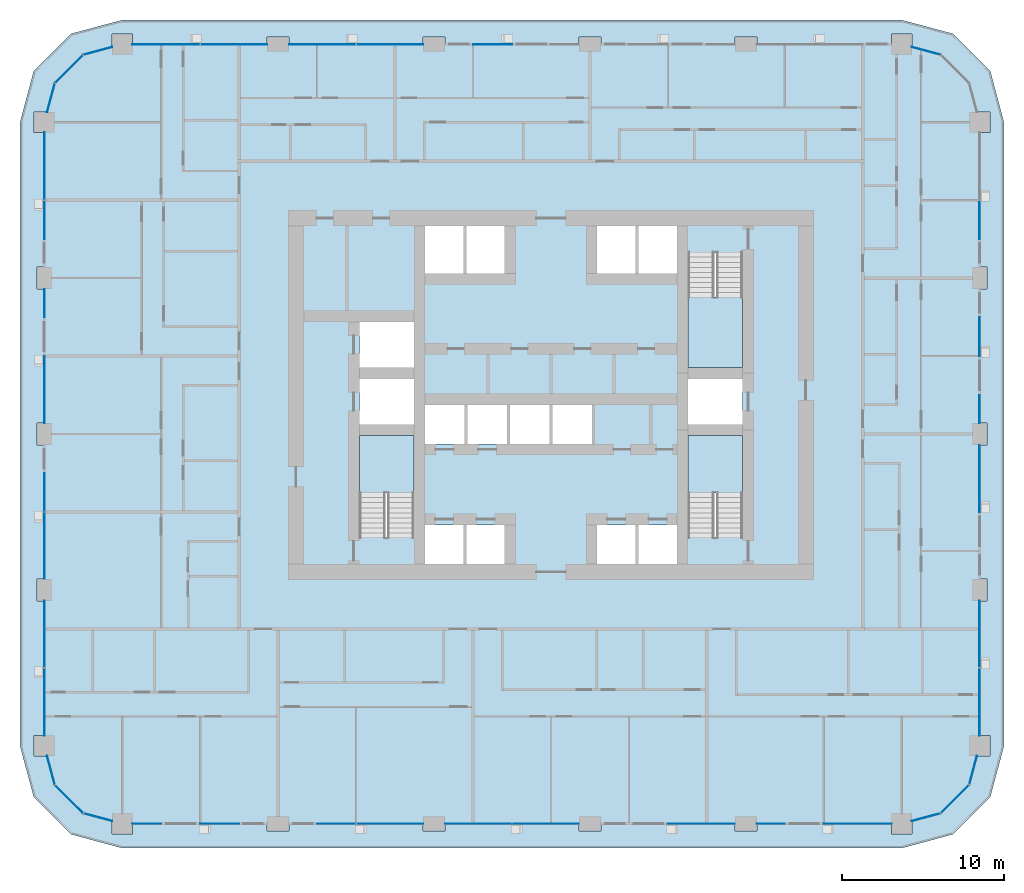
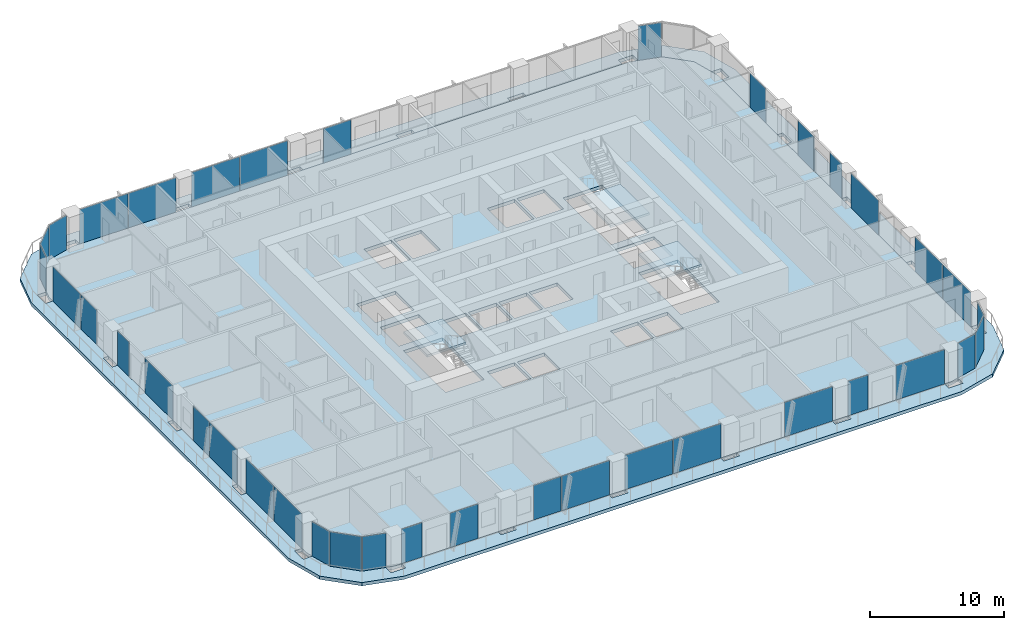
# One storey, part 7 of 21: 38 plates, 5 slabs, 23 elements without a shape of their own.
"""IFC4 building model written with IfcOpenShell, lengths in metres."""

from ifc_helpers import new_model, si_unit, direction, frame, origin, origin_2d, place, context, subcontext, project, spatial, polyline, rectangle, outline, extrude, material, layer, layer_set, type_object, element, aggregate, save


model = new_model("IFC4")

# Units and contexts
model_context = context("Model", 3, precision=1e-05, world=origin(), true_north=direction((0.0, 1.0)))
body_context = subcontext(model_context, "Body", "Model", "MODEL_VIEW")
ifc_project = project(units=[si_unit("LENGTHUNIT", "METRE"), si_unit("AREAUNIT", "SQUARE_METRE"), si_unit("VOLUMEUNIT", "CUBIC_METRE"), si_unit("PLANEANGLEUNIT", "RADIAN"), si_unit("MASSUNIT", "GRAM", prefix="KILO")], contexts=[model_context])

# Site, building, storey
site_placement = place(None, origin())
site = spatial("IfcSite", under=ifc_project, at=site_placement, CompositionType="ELEMENT")
building_placement = place(site_placement, origin())
building = spatial("IfcBuilding", under=site, at=building_placement, Name="Madar Terraces", CompositionType="ELEMENT")
storey_placement = place(building_placement, frame((0.0, 0.0, 46.89990234375)))
storey = spatial("IfcBuildingStorey", under=building, at=storey_placement, Name="L11", CompositionType="ELEMENT", Elevation=46.89990234375)

# Slabs
ifc_material_1 = material(Name="Concrete C50/60", Category="concrete")
ifc_layer_1 = layer(ifc_material_1, 0.300048828125)
ifc_layer_set_1 = layer_set([ifc_layer_1], Name="Balcony band 300")
slab_type_1 = type_object("IfcSlabType", Name="Balcony band 300", PredefinedType="FLOOR", material=ifc_layer_set_1)
slab_1_placement = place(storey_placement, frame((0.0, 0.0, -0.2998046875)))
element("IfcSlab", 1, at=slab_1_placement, inside=storey, type_object=slab_type_1, Name="Balcony band", PredefinedType="FLOOR", context=body_context, shape_type="SweptSolid", body=[
    extrude(outline(polyline([(4.800048828125, -1.5), (1.64990234375, -0.656005859375), (-0.656005859375, 1.64990234375), (-1.5, 4.800048828125), (-1.5, 43.199951171875), (-0.656005859375, 46.35009765625), (1.64990234375, 48.656005859375), (4.800048828125, 49.5), (52.800048828125, 49.5), (55.949951171875, 48.656005859375), (58.256103515625, 46.35009765625), (59.10009765625, 43.199951171875), (59.10009765625, 4.800048828125), (58.256103515625, 1.64990234375), (55.949951171875, -0.656005859375), (52.800048828125, -1.5), (4.800048828125, -1.5)]), holes=[polyline([(5.425048828125, -0.625), (5.425048828125, 0.0), (13.72509765625, 0.0), (13.72509765625, -0.449951171875), (15.074951171875, -0.449951171875), (15.074951171875, 0.0), (23.324951171875, 0.0), (23.324951171875, -0.449951171875), (24.675048828125, -0.449951171875), (24.675048828125, 0.0), (32.925048828125, 0.0), (32.925048828125, -0.449951171875), (34.27490234375, -0.449951171875), (34.27490234375, 0.0), (42.52490234375, 0.0), (42.52490234375, -0.449951171875), (43.875, -0.449951171875), (43.875, 0.0), (52.175048828125, 0.0), (52.175048828125, -0.625), (53.425048828125, -0.625), (53.425048828125, 0.16748046875), (55.199951171875, 0.64306640625), (56.956787109375, 2.39990234375), (57.4326171875, 4.175048828125), (58.22509765625, 4.175048828125), (58.22509765625, 5.425048828125), (57.60009765625, 5.425048828125), (57.60009765625, 13.72509765625), (58.050048828125, 13.72509765625), (58.050048828125, 15.074951171875), (57.60009765625, 15.074951171875), (57.60009765625, 23.324951171875), (58.050048828125, 23.324951171875), (58.050048828125, 24.675048828125), (57.60009765625, 24.675048828125), (57.60009765625, 32.925048828125), (58.050048828125, 32.925048828125), (58.050048828125, 34.27490234375), (57.60009765625, 34.27490234375), (57.60009765625, 42.574951171875), (58.22509765625, 42.574951171875), (58.22509765625, 43.824951171875), (57.4326171875, 43.824951171875), (56.956787109375, 45.60009765625), (55.199951171875, 47.35693359375), (53.425048828125, 47.83251953125), (53.425048828125, 48.625), (52.175048828125, 48.625), (52.175048828125, 48.0), (43.875, 48.0), (43.875, 48.449951171875), (42.52490234375, 48.449951171875), (42.52490234375, 48.0), (34.27490234375, 48.0), (34.27490234375, 48.449951171875), (32.925048828125, 48.449951171875), (32.925048828125, 48.0), (24.675048828125, 48.0), (24.675048828125, 48.449951171875), (23.324951171875, 48.449951171875), (23.324951171875, 48.0), (15.074951171875, 48.0), (15.074951171875, 48.449951171875), (13.72509765625, 48.449951171875), (13.72509765625, 48.0), (5.425048828125, 48.0), (5.425048828125, 48.625), (4.175048828125, 48.625), (4.175048828125, 47.83251953125), (2.39990234375, 47.35693359375), (0.64306640625, 45.60009765625), (0.16748046875, 43.824951171875), (-0.625, 43.824951171875), (-0.625, 42.574951171875), (0.0, 42.574951171875), (0.0, 34.27490234375), (-0.449951171875, 34.27490234375), (-0.449951171875, 32.925048828125), (0.0, 32.925048828125), (0.0, 24.675048828125), (-0.449951171875, 24.675048828125), (-0.449951171875, 23.324951171875), (0.0, 23.324951171875), (0.0, 15.074951171875), (-0.449951171875, 15.074951171875), (-0.449951171875, 13.72509765625), (0.0, 13.72509765625), (0.0, 5.425048828125), (-0.625, 5.425048828125), (-0.625, 4.175048828125), (0.16748046875, 4.175048828125), (0.64306640625, 2.39990234375), (2.39990234375, 0.64306640625), (4.175048828125, 0.16748046875), (4.175048828125, -0.625), (5.425048828125, -0.625)])]), origin(), (0.0, 0.0, 1.0), 0.2998046875),
])
ifc_material_2 = material(Name="Concrete C50/60", Category="concrete")
ifc_layer_2 = layer(ifc_material_2, 0.300048828125)
ifc_layer_set_2 = layer_set([ifc_layer_2], Name="FS2 PT flat slab 300")
slab_type_2 = type_object("IfcSlabType", Name="FS2 PT flat slab 300", PredefinedType="FLOOR", material=ifc_layer_set_2)
slab_2_placement = place(storey_placement, frame((0.0, 0.0, -0.2998046875)))
element("IfcSlab", 2, at=slab_2_placement, inside=storey, type_object=slab_type_2, Name="Floor slab L11 (1)", PredefinedType="FLOOR", context=body_context, shape_type="SweptSolid", body=[
    extrude(outline(polyline([(52.800048828125, 0.0), (55.199951171875, 0.64306640625), (56.95703125, 2.39990234375), (57.60009765625, 4.800048828125), (57.60009765625, 43.199951171875), (56.95703125, 45.60009765625), (55.199951171875, 47.35693359375), (52.800048828125, 48.0), (4.800048828125, 48.0), (2.39990234375, 47.35693359375), (0.64306640625, 45.60009765625), (0.0, 43.199951171875), (0.0, 4.800048828125), (0.64306640625, 2.39990234375), (2.39990234375, 0.64306640625), (4.800048828125, 0.0), (52.800048828125, 0.0)]), holes=[polyline([(23.449951171875, 16.0), (23.449951171875, 18.39990234375), (25.800048828125, 18.39990234375), (25.800048828125, 16.0), (23.449951171875, 16.0)]), polyline([(26.0, 16.0), (26.0, 18.39990234375), (28.35009765625, 18.39990234375), (28.35009765625, 16.0), (26.0, 16.0)]), polyline([(19.39990234375, 17.64990234375), (19.39990234375, 23.89990234375), (22.75, 23.89990234375), (22.75, 17.64990234375), (19.39990234375, 17.64990234375)]), polyline([(23.449951171875, 23.39990234375), (23.449951171875, 25.800048828125), (25.86669921875, 25.800048828125), (25.86669921875, 23.39990234375), (23.449951171875, 23.39990234375)]), polyline([(26.066650390625, 23.39990234375), (26.066650390625, 25.800048828125), (28.4833984375, 25.800048828125), (28.4833984375, 23.39990234375), (26.066650390625, 23.39990234375)]), polyline([(19.39990234375, 24.60009765625), (19.39990234375, 27.39990234375), (22.75, 27.39990234375), (22.75, 24.60009765625), (19.39990234375, 24.60009765625)]), polyline([(19.39990234375, 28.10009765625), (19.39990234375, 30.89990234375), (22.75, 30.89990234375), (22.75, 28.10009765625), (19.39990234375, 28.10009765625)]), polyline([(23.449951171875, 36.800048828125), (25.800048828125, 36.800048828125), (25.800048828125, 33.89990234375), (23.449951171875, 33.89990234375), (23.449951171875, 36.800048828125)]), polyline([(26.0, 36.800048828125), (28.35009765625, 36.800048828125), (28.35009765625, 33.89990234375), (26.0, 33.89990234375), (26.0, 36.800048828125)]), polyline([(34.050048828125, 16.0), (34.050048828125, 18.39990234375), (36.39990234375, 18.39990234375), (36.39990234375, 16.0), (34.050048828125, 16.0)]), polyline([(36.60009765625, 16.0), (36.60009765625, 18.39990234375), (38.949951171875, 18.39990234375), (38.949951171875, 16.0), (36.60009765625, 16.0)]), polyline([(39.64990234375, 17.64990234375), (39.64990234375, 23.89990234375), (43.0, 23.89990234375), (43.0, 17.64990234375), (39.64990234375, 17.64990234375)]), polyline([(28.683349609375, 23.39990234375), (28.683349609375, 25.800048828125), (31.10009765625, 25.800048828125), (31.10009765625, 23.39990234375), (28.683349609375, 23.39990234375)]), polyline([(31.300048828125, 23.39990234375), (31.300048828125, 25.800048828125), (33.716552734375, 25.800048828125), (33.716552734375, 23.39990234375), (31.300048828125, 23.39990234375)]), polyline([(39.64990234375, 24.60009765625), (39.64990234375, 27.39990234375), (43.0, 27.39990234375), (43.0, 24.60009765625), (39.64990234375, 24.60009765625)]), polyline([(39.64990234375, 28.10009765625), (39.64990234375, 35.14990234375), (43.0, 35.14990234375), (43.0, 28.10009765625), (39.64990234375, 28.10009765625)]), polyline([(34.050048828125, 36.800048828125), (36.39990234375, 36.800048828125), (36.39990234375, 33.89990234375), (34.050048828125, 33.89990234375), (34.050048828125, 36.800048828125)]), polyline([(36.60009765625, 36.800048828125), (38.949951171875, 36.800048828125), (38.949951171875, 33.89990234375), (36.60009765625, 33.89990234375), (36.60009765625, 36.800048828125)])]), origin(), (0.0, 0.0, 1.0), 0.2998046875),
])

# Curtain wall, plates
ifc_material_3 = material(Name="Glass, ceramic frit dark grey, with black aluminium frame", Category="aluminium")
ifc_layer_3 = layer(ifc_material_3, 0.199951171875)
ifc_layer_set_3 = layer_set([ifc_layer_3], Name="Facade curtain wall, fritted glass")
curtain_wall_type = type_object("IfcCurtainWallType", Name="Facade curtain wall, fritted glass", PredefinedType="NOTDEFINED", material=ifc_layer_set_3)
curtain_wall_1_placement = place(storey_placement, origin())
curtain_wall_1 = element("IfcCurtainWall", 3, at=curtain_wall_1_placement, inside=storey, type_object=curtain_wall_type, Name="Outer skin curtain wall south bay 1", PredefinedType="NOTDEFINED")
ifc_material_4 = material(Name="Glass, ceramic frit dark grey", Category="glass")
ifc_layer_4 = layer(ifc_material_4, 0.028076171875)
ifc_layer_set_4 = layer_set([ifc_layer_4], Name="Facade glass panel 28")
plate_type = type_object("IfcPlateType", Name="Facade glass panel 28", PredefinedType="CURTAIN_PANEL", material=ifc_layer_set_4)
plate_1_placement = place(storey_placement, frame((6.3125, 0.0, 0.0), z_axis=(0.0, 0.0, 1.0), x_axis=(1.0, 0.0, 0.0)))
plate_1 = element("IfcPlate", 4, at=plate_1_placement, type_object=plate_type, Name="Panel 1", PredefinedType="CURTAIN_PANEL", context=body_context, shape_type="SweptSolid", body=[
    extrude(rectangle(XDim=1.77490234375, YDim=0.028076171875, at=origin_2d()), origin(), (0.0, 0.0, 1.0), 3.139892578125),
])
plate_2_placement = place(storey_placement, frame((10.800048828125, 0.0, 0.0), z_axis=(0.0, 0.0, 1.0), x_axis=(1.0, 0.0, 0.0)))
plate_2 = element("IfcPlate", 5, at=plate_2_placement, type_object=plate_type, Name="Panel 2", PredefinedType="CURTAIN_PANEL", context=body_context, shape_type="SweptSolid", body=[
    extrude(rectangle(XDim=2.39990234375, YDim=0.028076171875, at=origin_2d()), origin(), (0.0, 0.0, 1.0), 3.139892578125),
])
aggregate(curtain_wall_1, [plate_1, plate_2])

curtain_wall_2_placement = place(storey_placement, origin())
curtain_wall_2 = element("IfcCurtainWall", 6, at=curtain_wall_2_placement, inside=storey, type_object=curtain_wall_type, Name="Outer skin curtain wall south bay 2", PredefinedType="NOTDEFINED")
plate_3_placement = place(storey_placement, frame((17.985107421875, 0.0, 0.0), z_axis=(0.0, 0.0, 1.0), x_axis=(1.0, 0.0, 0.0)))
plate_3 = element("IfcPlate", 7, at=plate_3_placement, type_object=plate_type, Name="Panel 1", PredefinedType="CURTAIN_PANEL", context=body_context, shape_type="SweptSolid", body=[
    extrude(rectangle(XDim=2.3701171875, YDim=0.028076171875, at=origin_2d()), origin(), (0.0, 0.0, 1.0), 3.139892578125),
])
plate_4_placement = place(storey_placement, frame((21.277587890625, 0.0, 0.0), z_axis=(0.0, 0.0, 1.0), x_axis=(1.0, 0.0, 0.0)))
plate_4 = element("IfcPlate", 8, at=plate_4_placement, type_object=plate_type, Name="Panel 2", PredefinedType="CURTAIN_PANEL", context=body_context, shape_type="SweptSolid", body=[
    extrude(rectangle(XDim=4.094970703125, YDim=0.028076171875, at=origin_2d()), origin(), (0.0, 0.0, 1.0), 3.139892578125),
])
aggregate(curtain_wall_2, [plate_3, plate_4])

curtain_wall_3_placement = place(storey_placement, origin())
curtain_wall_3 = element("IfcCurtainWall", 9, at=curtain_wall_3_placement, inside=storey, type_object=curtain_wall_type, Name="Outer skin curtain wall south bay 3", PredefinedType="NOTDEFINED")
plate_5_placement = place(storey_placement, frame((26.722412109375, 0.0, 0.0), z_axis=(0.0, 0.0, 1.0), x_axis=(1.0, 0.0, 0.0)))
plate_5 = element("IfcPlate", 10, at=plate_5_placement, type_object=plate_type, Name="Panel 1", PredefinedType="CURTAIN_PANEL", context=body_context, shape_type="SweptSolid", body=[
    extrude(rectangle(XDim=4.094970703125, YDim=0.028076171875, at=origin_2d()), origin(), (0.0, 0.0, 1.0), 3.139892578125),
])
plate_6_placement = place(storey_placement, frame((30.87744140625, 0.0, 0.0), z_axis=(0.0, 0.0, 1.0), x_axis=(1.0, 0.0, 0.0)))
plate_6 = element("IfcPlate", 11, at=plate_6_placement, type_object=plate_type, Name="Panel 2", PredefinedType="CURTAIN_PANEL", context=body_context, shape_type="SweptSolid", body=[
    extrude(rectangle(XDim=4.094970703125, YDim=0.028076171875, at=origin_2d()), origin(), (0.0, 0.0, 1.0), 3.139892578125),
])
aggregate(curtain_wall_3, [plate_5, plate_6])

# Curtain wall, plate
curtain_wall_4_placement = place(storey_placement, origin())
curtain_wall_4 = element("IfcCurtainWall", 12, at=curtain_wall_4_placement, inside=storey, type_object=curtain_wall_type, Name="Outer skin curtain wall south bay 4", PredefinedType="NOTDEFINED")
plate_7_placement = place(storey_placement, frame((40.46240234375, 0.0, 0.0), z_axis=(0.0, 0.0, 1.0), x_axis=(1.0, 0.0, 0.0)))
plate_7 = element("IfcPlate", 13, at=plate_7_placement, type_object=plate_type, Name="Panel 1", PredefinedType="CURTAIN_PANEL", context=body_context, shape_type="SweptSolid", body=[
    extrude(rectangle(XDim=4.125, YDim=0.028076171875, at=origin_2d()), origin(), (0.0, 0.0, 1.0), 3.139892578125),
])
aggregate(curtain_wall_4, [plate_7])

# Curtain wall, plates
curtain_wall_5_placement = place(storey_placement, origin())
curtain_wall_5 = element("IfcCurtainWall", 14, at=curtain_wall_5_placement, inside=storey, type_object=curtain_wall_type, Name="Outer skin curtain wall south bay 5", PredefinedType="NOTDEFINED")
plate_8_placement = place(storey_placement, frame((44.737548828125, 0.0, 0.0), z_axis=(0.0, 0.0, 1.0), x_axis=(1.0, 0.0, 0.0)))
plate_8 = element("IfcPlate", 15, at=plate_8_placement, type_object=plate_type, Name="Panel 1", PredefinedType="CURTAIN_PANEL", context=body_context, shape_type="SweptSolid", body=[
    extrude(rectangle(XDim=1.72509765625, YDim=0.028076171875, at=origin_2d()), origin(), (0.0, 0.0, 1.0), 3.139892578125),
])
plate_9_placement = place(storey_placement, frame((50.08740234375, 0.0, 0.0), z_axis=(0.0, 0.0, 1.0), x_axis=(1.0, 0.0, 0.0)))
plate_9 = element("IfcPlate", 16, at=plate_9_placement, type_object=plate_type, Name="Panel 2", PredefinedType="CURTAIN_PANEL", context=body_context, shape_type="SweptSolid", body=[
    extrude(rectangle(XDim=4.175048828125, YDim=0.028076171875, at=origin_2d()), origin(), (0.0, 0.0, 1.0), 3.139892578125),
])
aggregate(curtain_wall_5, [plate_8, plate_9])

curtain_wall_6_placement = place(storey_placement, origin())
curtain_wall_6 = element("IfcCurtainWall", 17, at=curtain_wall_6_placement, inside=storey, type_object=curtain_wall_type, Name="Outer skin curtain wall east bay 1", PredefinedType="NOTDEFINED")
plate_10_placement = place(storey_placement, frame((57.60009765625, 7.49755859375, 0.0), z_axis=(0.0, 0.0, 1.0), x_axis=(0.0, 1.0, 0.0)))
plate_10 = element("IfcPlate", 18, at=plate_10_placement, type_object=plate_type, Name="Panel 1", PredefinedType="CURTAIN_PANEL", context=body_context, shape_type="SweptSolid", body=[
    extrude(rectangle(XDim=4.14501953125, YDim=0.028076171875, at=origin_2d()), origin(), (0.0, 0.0, 1.0), 3.139892578125),
])
plate_11_placement = place(storey_placement, frame((57.60009765625, 11.677490234375, 0.0), z_axis=(0.0, 0.0, 1.0), x_axis=(0.0, 1.0, 0.0)))
plate_11 = element("IfcPlate", 19, at=plate_11_placement, type_object=plate_type, Name="Panel 2", PredefinedType="CURTAIN_PANEL", context=body_context, shape_type="SweptSolid", body=[
    extrude(rectangle(XDim=4.094970703125, YDim=0.028076171875, at=origin_2d()), origin(), (0.0, 0.0, 1.0), 3.139892578125),
])
aggregate(curtain_wall_6, [plate_10, plate_11])

# Curtain wall, plate
curtain_wall_7_placement = place(storey_placement, origin())
curtain_wall_7 = element("IfcCurtainWall", 20, at=curtain_wall_7_placement, inside=storey, type_object=curtain_wall_type, Name="Outer skin curtain wall east bay 2", PredefinedType="NOTDEFINED")
plate_12_placement = place(storey_placement, frame((57.60009765625, 21.262451171875, 0.0), z_axis=(0.0, 0.0, 1.0), x_axis=(0.0, 1.0, 0.0)))
plate_12 = element("IfcPlate", 21, at=plate_12_placement, type_object=plate_type, Name="Panel 1", PredefinedType="CURTAIN_PANEL", context=body_context, shape_type="SweptSolid", body=[
    extrude(rectangle(XDim=4.125, YDim=0.028076171875, at=origin_2d()), origin(), (0.0, 0.0, 1.0), 3.139892578125),
])
aggregate(curtain_wall_7, [plate_12])

# Curtain wall, plates
curtain_wall_8_placement = place(storey_placement, origin())
curtain_wall_8 = element("IfcCurtainWall", 22, at=curtain_wall_8_placement, inside=storey, type_object=curtain_wall_type, Name="Outer skin curtain wall east bay 3", PredefinedType="NOTDEFINED")
plate_13_placement = place(storey_placement, frame((57.60009765625, 25.53759765625, 0.0), z_axis=(0.0, 0.0, 1.0), x_axis=(0.0, 1.0, 0.0)))
plate_13 = element("IfcPlate", 23, at=plate_13_placement, type_object=plate_type, Name="Panel 1", PredefinedType="CURTAIN_PANEL", context=body_context, shape_type="SweptSolid", body=[
    extrude(rectangle(XDim=1.72509765625, YDim=0.028076171875, at=origin_2d()), origin(), (0.0, 0.0, 1.0), 3.139892578125),
])
plate_14_placement = place(storey_placement, frame((57.60009765625, 30.0, 0.0), z_axis=(0.0, 0.0, 1.0), x_axis=(0.0, 1.0, 0.0)))
plate_14 = element("IfcPlate", 24, at=plate_14_placement, type_object=plate_type, Name="Panel 2", PredefinedType="CURTAIN_PANEL", context=body_context, shape_type="SweptSolid", body=[
    extrude(rectangle(XDim=2.39990234375, YDim=0.028076171875, at=origin_2d()), origin(), (0.0, 0.0, 1.0), 3.139892578125),
])
aggregate(curtain_wall_8, [plate_13, plate_14])

# Curtain wall, plate
curtain_wall_9_placement = place(storey_placement, origin())
curtain_wall_9 = element("IfcCurtainWall", 25, at=curtain_wall_9_placement, inside=storey, type_object=curtain_wall_type, Name="Outer skin curtain wall east bay 4", PredefinedType="NOTDEFINED")
plate_15_placement = place(storey_placement, frame((57.60009765625, 37.18505859375, 0.0), z_axis=(0.0, 0.0, 1.0), x_axis=(0.0, 1.0, 0.0)))
plate_15 = element("IfcPlate", 26, at=plate_15_placement, type_object=plate_type, Name="Panel 1", PredefinedType="CURTAIN_PANEL", context=body_context, shape_type="SweptSolid", body=[
    extrude(rectangle(XDim=2.3701171875, YDim=0.028076171875, at=origin_2d()), origin(), (0.0, 0.0, 1.0), 3.139892578125),
])
aggregate(curtain_wall_9, [plate_15])

curtain_wall_10_placement = place(storey_placement, origin())
curtain_wall_10 = element("IfcCurtainWall", 27, at=curtain_wall_10_placement, inside=storey, type_object=curtain_wall_type, Name="Outer skin curtain wall north bay 3", PredefinedType="NOTDEFINED")
plate_16_placement = place(storey_placement, frame((27.60009765625, 48.0, 0.0), z_axis=(0.0, 0.0, 1.0), x_axis=(-1.0, 0.0, 0.0)))
plate_16 = element("IfcPlate", 28, at=plate_16_placement, type_object=plate_type, Name="Panel 2", PredefinedType="CURTAIN_PANEL", context=body_context, shape_type="SweptSolid", body=[
    extrude(rectangle(XDim=2.39990234375, YDim=0.028076171875, at=origin_2d()), origin(), (0.0, 0.0, 1.0), 3.139892578125),
])
aggregate(curtain_wall_10, [plate_16])

# Curtain wall, plates
curtain_wall_11_placement = place(storey_placement, origin())
curtain_wall_11 = element("IfcCurtainWall", 29, at=curtain_wall_11_placement, inside=storey, type_object=curtain_wall_type, Name="Outer skin curtain wall north bay 4", PredefinedType="NOTDEFINED")
plate_17_placement = place(storey_placement, frame((21.277587890625, 48.0, 0.0), z_axis=(0.0, 0.0, 1.0), x_axis=(-1.0, 0.0, 0.0)))
plate_17 = element("IfcPlate", 30, at=plate_17_placement, type_object=plate_type, Name="Panel 1", PredefinedType="CURTAIN_PANEL", context=body_context, shape_type="SweptSolid", body=[
    extrude(rectangle(XDim=4.094970703125, YDim=0.028076171875, at=origin_2d()), origin(), (0.0, 0.0, 1.0), 3.139892578125),
])
plate_18_placement = place(storey_placement, frame((17.12255859375, 48.0, 0.0), z_axis=(0.0, 0.0, 1.0), x_axis=(-1.0, 0.0, 0.0)))
plate_18 = element("IfcPlate", 31, at=plate_18_placement, type_object=plate_type, Name="Panel 2", PredefinedType="CURTAIN_PANEL", context=body_context, shape_type="SweptSolid", body=[
    extrude(rectangle(XDim=4.094970703125, YDim=0.028076171875, at=origin_2d()), origin(), (0.0, 0.0, 1.0), 3.139892578125),
])
aggregate(curtain_wall_11, [plate_17, plate_18])

curtain_wall_12_placement = place(storey_placement, origin())
curtain_wall_12 = element("IfcCurtainWall", 32, at=curtain_wall_12_placement, inside=storey, type_object=curtain_wall_type, Name="Outer skin curtain wall north bay 5", PredefinedType="NOTDEFINED")
plate_19_placement = place(storey_placement, frame((11.677490234375, 48.0, 0.0), z_axis=(0.0, 0.0, 1.0), x_axis=(-1.0, 0.0, 0.0)))
plate_19 = element("IfcPlate", 33, at=plate_19_placement, type_object=plate_type, Name="Panel 1", PredefinedType="CURTAIN_PANEL", context=body_context, shape_type="SweptSolid", body=[
    extrude(rectangle(XDim=4.094970703125, YDim=0.028076171875, at=origin_2d()), origin(), (0.0, 0.0, 1.0), 3.139892578125),
])
plate_20_placement = place(storey_placement, frame((7.49755859375, 48.0, 0.0), z_axis=(0.0, 0.0, 1.0), x_axis=(-1.0, 0.0, 0.0)))
plate_20 = element("IfcPlate", 34, at=plate_20_placement, type_object=plate_type, Name="Panel 2", PredefinedType="CURTAIN_PANEL", context=body_context, shape_type="SweptSolid", body=[
    extrude(rectangle(XDim=4.14501953125, YDim=0.028076171875, at=origin_2d()), origin(), (0.0, 0.0, 1.0), 3.139892578125),
])
aggregate(curtain_wall_12, [plate_19, plate_20])

curtain_wall_13_placement = place(storey_placement, origin())
curtain_wall_13 = element("IfcCurtainWall", 35, at=curtain_wall_13_placement, inside=storey, type_object=curtain_wall_type, Name="Outer skin curtain wall west bay 1", PredefinedType="NOTDEFINED")
plate_21_placement = place(storey_placement, frame((0.0, 40.50244140625, 0.0), z_axis=(0.0, 0.0, 1.0), x_axis=(0.0, -1.0, 0.0)))
plate_21 = element("IfcPlate", 36, at=plate_21_placement, type_object=plate_type, Name="Panel 1", PredefinedType="CURTAIN_PANEL", context=body_context, shape_type="SweptSolid", body=[
    extrude(rectangle(XDim=4.14501953125, YDim=0.028076171875, at=origin_2d()), origin(), (0.0, 0.0, 1.0), 3.139892578125),
])
plate_22_placement = place(storey_placement, frame((0.0, 37.18505859375, 0.0), z_axis=(0.0, 0.0, 1.0), x_axis=(0.0, -1.0, 0.0)))
plate_22 = element("IfcPlate", 37, at=plate_22_placement, type_object=plate_type, Name="Panel 2", PredefinedType="CURTAIN_PANEL", context=body_context, shape_type="SweptSolid", body=[
    extrude(rectangle(XDim=2.3701171875, YDim=0.028076171875, at=origin_2d()), origin(), (0.0, 0.0, 1.0), 3.139892578125),
])
aggregate(curtain_wall_13, [plate_21, plate_22])

curtain_wall_14_placement = place(storey_placement, origin())
curtain_wall_14 = element("IfcCurtainWall", 38, at=curtain_wall_14_placement, inside=storey, type_object=curtain_wall_type, Name="Outer skin curtain wall west bay 2", PredefinedType="NOTDEFINED")
plate_23_placement = place(storey_placement, frame((0.0, 32.0625, 0.0), z_axis=(0.0, 0.0, 1.0), x_axis=(0.0, -1.0, 0.0)))
plate_23 = element("IfcPlate", 39, at=plate_23_placement, type_object=plate_type, Name="Panel 1", PredefinedType="CURTAIN_PANEL", context=body_context, shape_type="SweptSolid", body=[
    extrude(rectangle(XDim=1.72509765625, YDim=0.028076171875, at=origin_2d()), origin(), (0.0, 0.0, 1.0), 3.139892578125),
])
plate_24_placement = place(storey_placement, frame((0.0, 26.737548828125, 0.0), z_axis=(0.0, 0.0, 1.0), x_axis=(0.0, -1.0, 0.0)))
plate_24 = element("IfcPlate", 40, at=plate_24_placement, type_object=plate_type, Name="Panel 2", PredefinedType="CURTAIN_PANEL", context=body_context, shape_type="SweptSolid", body=[
    extrude(rectangle(XDim=4.125, YDim=0.028076171875, at=origin_2d()), origin(), (0.0, 0.0, 1.0), 3.139892578125),
])
aggregate(curtain_wall_14, [plate_23, plate_24])

curtain_wall_15_placement = place(storey_placement, origin())
curtain_wall_15 = element("IfcCurtainWall", 41, at=curtain_wall_15_placement, inside=storey, type_object=curtain_wall_type, Name="Outer skin curtain wall west bay 3", PredefinedType="NOTDEFINED")
plate_25_placement = place(storey_placement, frame((0.0, 20.4150390625, 0.0), z_axis=(0.0, 0.0, 1.0), x_axis=(0.0, -1.0, 0.0)))
plate_25 = element("IfcPlate", 42, at=plate_25_placement, type_object=plate_type, Name="Panel 1", PredefinedType="CURTAIN_PANEL", context=body_context, shape_type="SweptSolid", body=[
    extrude(rectangle(XDim=2.3701171875, YDim=0.028076171875, at=origin_2d()), origin(), (0.0, 0.0, 1.0), 3.139892578125),
])
plate_26_placement = place(storey_placement, frame((0.0, 17.12255859375, 0.0), z_axis=(0.0, 0.0, 1.0), x_axis=(0.0, -1.0, 0.0)))
plate_26 = element("IfcPlate", 43, at=plate_26_placement, type_object=plate_type, Name="Panel 2", PredefinedType="CURTAIN_PANEL", context=body_context, shape_type="SweptSolid", body=[
    extrude(rectangle(XDim=4.094970703125, YDim=0.028076171875, at=origin_2d()), origin(), (0.0, 0.0, 1.0), 3.139892578125),
])
aggregate(curtain_wall_15, [plate_25, plate_26])

curtain_wall_16_placement = place(storey_placement, origin())
curtain_wall_16 = element("IfcCurtainWall", 44, at=curtain_wall_16_placement, inside=storey, type_object=curtain_wall_type, Name="Outer skin curtain wall west bay 4", PredefinedType="NOTDEFINED")
plate_27_placement = place(storey_placement, frame((0.0, 11.677490234375, 0.0), z_axis=(0.0, 0.0, 1.0), x_axis=(0.0, -1.0, 0.0)))
plate_27 = element("IfcPlate", 45, at=plate_27_placement, type_object=plate_type, Name="Panel 1", PredefinedType="CURTAIN_PANEL", context=body_context, shape_type="SweptSolid", body=[
    extrude(rectangle(XDim=4.094970703125, YDim=0.028076171875, at=origin_2d()), origin(), (0.0, 0.0, 1.0), 3.139892578125),
])
plate_28_placement = place(storey_placement, frame((0.0, 7.49755859375, 0.0), z_axis=(0.0, 0.0, 1.0), x_axis=(0.0, -1.0, 0.0)))
plate_28 = element("IfcPlate", 46, at=plate_28_placement, type_object=plate_type, Name="Panel 2", PredefinedType="CURTAIN_PANEL", context=body_context, shape_type="SweptSolid", body=[
    extrude(rectangle(XDim=4.14501953125, YDim=0.028076171875, at=origin_2d()), origin(), (0.0, 0.0, 1.0), 3.139892578125),
])
aggregate(curtain_wall_16, [plate_27, plate_28])

curtain_wall_17_placement = place(storey_placement, origin())
curtain_wall_17 = element("IfcCurtainWall", 47, at=curtain_wall_17_placement, inside=storey, type_object=curtain_wall_type, Name="Outer skin curtain wall south-east corner", PredefinedType="NOTDEFINED")
plate_29_placement = place(storey_placement, frame((54.298095703125, 0.4013671875, 0.0), z_axis=(0.0, 0.0, 1.0), x_axis=(0.965925832509, 0.258819021888, 0.0)))
plate_29 = element("IfcPlate", 48, at=plate_29_placement, type_object=plate_type, Name="Panel 1", PredefinedType="CURTAIN_PANEL", context=body_context, shape_type="SweptSolid", body=[
    extrude(rectangle(XDim=1.8076171875, YDim=0.028076171875, at=origin_2d()), origin(), (0.0, 0.0, 1.0), 3.139892578125),
])
plate_30_placement = place(storey_placement, frame((56.078369140625, 1.521484375, 0.0), z_axis=(0.0, 0.0, 1.0), x_axis=(0.707106781187, 0.707106781187, 0.0)))
plate_30 = element("IfcPlate", 49, at=plate_30_placement, type_object=plate_type, Name="Panel 2", PredefinedType="CURTAIN_PANEL", context=body_context, shape_type="SweptSolid", body=[
    extrude(rectangle(XDim=2.424560546875, YDim=0.028076171875, at=origin_2d()), origin(), (0.0, 0.0, 1.0), 3.139892578125),
])
plate_31_placement = place(storey_placement, frame((57.19873046875, 3.302001953125, 0.0), z_axis=(0.0, 0.0, 1.0), x_axis=(0.258819021888, 0.965925832509, 0.0)))
plate_31 = element("IfcPlate", 50, at=plate_31_placement, type_object=plate_type, Name="Panel 3", PredefinedType="CURTAIN_PANEL", context=body_context, shape_type="SweptSolid", body=[
    extrude(rectangle(XDim=1.8076171875, YDim=0.028076171875, at=origin_2d()), origin(), (0.0, 0.0, 1.0), 3.139892578125),
])
aggregate(curtain_wall_17, [plate_29, plate_30, plate_31])

# Curtain wall, plate
curtain_wall_18_placement = place(storey_placement, origin())
curtain_wall_18 = element("IfcCurtainWall", 51, at=curtain_wall_18_placement, inside=storey, type_object=curtain_wall_type, Name="Outer skin curtain wall north-east corner", PredefinedType="NOTDEFINED")
plate_32_placement = place(storey_placement, frame((54.298095703125, 47.5986328125, 0.0), z_axis=(0.0, 0.0, 1.0), x_axis=(-0.965925832509, 0.258819021888, 0.0)))
plate_32 = element("IfcPlate", 52, at=plate_32_placement, type_object=plate_type, Name="Panel 3", PredefinedType="CURTAIN_PANEL", context=body_context, shape_type="SweptSolid", body=[
    extrude(rectangle(XDim=1.8076171875, YDim=0.028076171875, at=origin_2d()), origin(), (0.0, 0.0, 1.0), 3.139892578125),
])
aggregate(curtain_wall_18, [plate_32])

# Curtain wall, plates
curtain_wall_19_placement = place(storey_placement, origin())
curtain_wall_19 = element("IfcCurtainWall", 53, at=curtain_wall_19_placement, inside=storey, type_object=curtain_wall_type, Name="Outer skin curtain wall north-west corner", PredefinedType="NOTDEFINED")
plate_33_placement = place(storey_placement, frame((3.302001953125, 47.5986328125, 0.0), z_axis=(0.0, 0.0, 1.0), x_axis=(-0.965925832509, -0.258819021888, 0.0)))
plate_33 = element("IfcPlate", 54, at=plate_33_placement, type_object=plate_type, Name="Panel 1", PredefinedType="CURTAIN_PANEL", context=body_context, shape_type="SweptSolid", body=[
    extrude(rectangle(XDim=1.8076171875, YDim=0.028076171875, at=origin_2d()), origin(), (0.0, 0.0, 1.0), 3.139892578125),
])
plate_34_placement = place(storey_placement, frame((1.521484375, 46.478515625, 0.0), z_axis=(0.0, 0.0, 1.0), x_axis=(-0.707106781187, -0.707106781187, 0.0)))
plate_34 = element("IfcPlate", 55, at=plate_34_placement, type_object=plate_type, Name="Panel 2", PredefinedType="CURTAIN_PANEL", context=body_context, shape_type="SweptSolid", body=[
    extrude(rectangle(XDim=2.424560546875, YDim=0.028076171875, at=origin_2d()), origin(), (0.0, 0.0, 1.0), 3.139892578125),
])
plate_35_placement = place(storey_placement, frame((0.4013671875, 44.697998046875, 0.0), z_axis=(0.0, 0.0, 1.0), x_axis=(-0.258819021888, -0.965925832509, 0.0)))
plate_35 = element("IfcPlate", 56, at=plate_35_placement, type_object=plate_type, Name="Panel 3", PredefinedType="CURTAIN_PANEL", context=body_context, shape_type="SweptSolid", body=[
    extrude(rectangle(XDim=1.8076171875, YDim=0.028076171875, at=origin_2d()), origin(), (0.0, 0.0, 1.0), 3.139892578125),
])
aggregate(curtain_wall_19, [plate_33, plate_34, plate_35])

curtain_wall_20_placement = place(storey_placement, origin())
curtain_wall_20 = element("IfcCurtainWall", 57, at=curtain_wall_20_placement, inside=storey, type_object=curtain_wall_type, Name="Outer skin curtain wall south-west corner", PredefinedType="NOTDEFINED")
plate_36_placement = place(storey_placement, frame((0.4013671875, 3.302001953125, 0.0), z_axis=(0.0, 0.0, 1.0), x_axis=(0.258819021888, -0.965925832509, 0.0)))
plate_36 = element("IfcPlate", 58, at=plate_36_placement, type_object=plate_type, Name="Panel 1", PredefinedType="CURTAIN_PANEL", context=body_context, shape_type="SweptSolid", body=[
    extrude(rectangle(XDim=1.8076171875, YDim=0.028076171875, at=origin_2d()), origin(), (0.0, 0.0, 1.0), 3.139892578125),
])
plate_37_placement = place(storey_placement, frame((1.521484375, 1.521484375, 0.0), z_axis=(0.0, 0.0, 1.0), x_axis=(0.707106781187, -0.707106781187, 0.0)))
plate_37 = element("IfcPlate", 59, at=plate_37_placement, type_object=plate_type, Name="Panel 2", PredefinedType="CURTAIN_PANEL", context=body_context, shape_type="SweptSolid", body=[
    extrude(rectangle(XDim=2.424560546875, YDim=0.028076171875, at=origin_2d()), origin(), (0.0, 0.0, 1.0), 3.139892578125),
])
plate_38_placement = place(storey_placement, frame((3.302001953125, 0.4013671875, 0.0), z_axis=(0.0, 0.0, 1.0), x_axis=(0.965925832509, -0.258819021888, 0.0)))
plate_38 = element("IfcPlate", 60, at=plate_38_placement, type_object=plate_type, Name="Panel 3", PredefinedType="CURTAIN_PANEL", context=body_context, shape_type="SweptSolid", body=[
    extrude(rectangle(XDim=1.8076171875, YDim=0.028076171875, at=origin_2d()), origin(), (0.0, 0.0, 1.0), 3.139892578125),
])
aggregate(curtain_wall_20, [plate_36, plate_37, plate_38])

# Stair, slab
ifc_material_5 = material(Name="Concrete C50/60", Category="concrete")
stair_type_1 = type_object("IfcStairType", Name="Stair ST1 protected exit", PredefinedType="HALF_TURN_STAIR", material=ifc_material_5)
stair_1_placement = place(storey_placement, origin())
stair_1 = element("IfcStair", 61, at=stair_1_placement, inside=storey, type_object=stair_type_1, Name="L11 Protected Exit Stair ST1", PredefinedType="HALF_TURN_STAIR")
ifc_material_6 = material(Name="Concrete C50/60", Category="concrete")
ifc_layer_5 = layer(ifc_material_6, 0.199951171875)
ifc_layer_set_5 = layer_set([ifc_layer_5], Name="Stair landing 200, top +1.75")
slab_type_3 = type_object("IfcSlabType", Name="Stair landing 200, top +1.75", PredefinedType="LANDING", material=ifc_layer_set_5)
slab_3_placement = place(storey_placement, frame((0.0, 0.0, 1.550048828125)))
slab_3 = element("IfcSlab", 62, at=slab_3_placement, type_object=slab_type_3, Name="ST1 landing 1", PredefinedType="LANDING", context=body_context, shape_type="SweptSolid", body=[
    extrude(outline(polyline([(19.39990234375, 20.360107421875), (22.75, 20.360107421875), (22.75, 23.89990234375), (19.39990234375, 23.89990234375), (19.39990234375, 20.360107421875)])), origin(), (0.0, 0.0, 1.0), 0.199951171875),
])
aggregate(stair_1, [slab_3])

ifc_material_7 = material(Name="Concrete C50/60", Category="concrete")
stair_type_2 = type_object("IfcStairType", Name="Stair ST2 protected exit", PredefinedType="HALF_TURN_STAIR", material=ifc_material_7)
stair_2_placement = place(storey_placement, origin())
stair_2 = element("IfcStair", 63, at=stair_2_placement, inside=storey, type_object=stair_type_2, Name="L11 Protected Exit Stair ST2", PredefinedType="HALF_TURN_STAIR")
slab_4_placement = place(storey_placement, frame((0.0, 0.0, 1.550048828125)))
slab_4 = element("IfcSlab", 64, at=slab_4_placement, type_object=slab_type_3, Name="ST2 landing 1", PredefinedType="LANDING", context=body_context, shape_type="SweptSolid", body=[
    extrude(outline(polyline([(39.64990234375, 28.10009765625), (43.0, 28.10009765625), (43.0, 32.43994140625), (39.64990234375, 32.43994140625), (39.64990234375, 28.10009765625)])), origin(), (0.0, 0.0, 1.0), 0.199951171875),
])
aggregate(stair_2, [slab_4])

ifc_material_8 = material(Name="Concrete C50/60", Category="concrete")
stair_type_3 = type_object("IfcStairType", Name="Stair ST3 protected exit", PredefinedType="HALF_TURN_STAIR", material=ifc_material_8)
stair_3_placement = place(storey_placement, origin())
stair_3 = element("IfcStair", 65, at=stair_3_placement, inside=storey, type_object=stair_type_3, Name="L11 Protected Exit Stair ST3", PredefinedType="HALF_TURN_STAIR")
slab_5_placement = place(storey_placement, frame((0.0, 0.0, 1.550048828125)))
slab_5 = element("IfcSlab", 66, at=slab_5_placement, type_object=slab_type_3, Name="ST3 landing 1", PredefinedType="LANDING", context=body_context, shape_type="SweptSolid", body=[
    extrude(outline(polyline([(39.64990234375, 20.360107421875), (43.0, 20.360107421875), (43.0, 23.89990234375), (39.64990234375, 23.89990234375), (39.64990234375, 20.360107421875)])), origin(), (0.0, 0.0, 1.0), 0.199951171875),
])
aggregate(stair_3, [slab_5])

save(model, "model.ifc")
